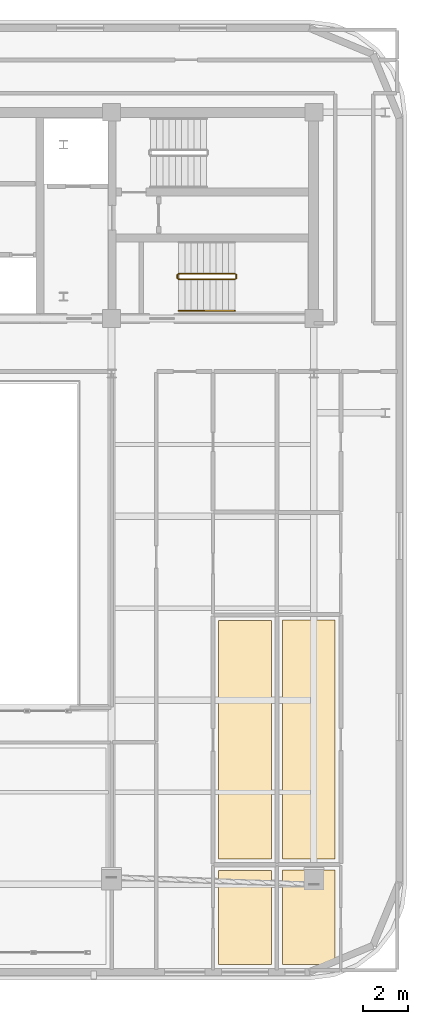
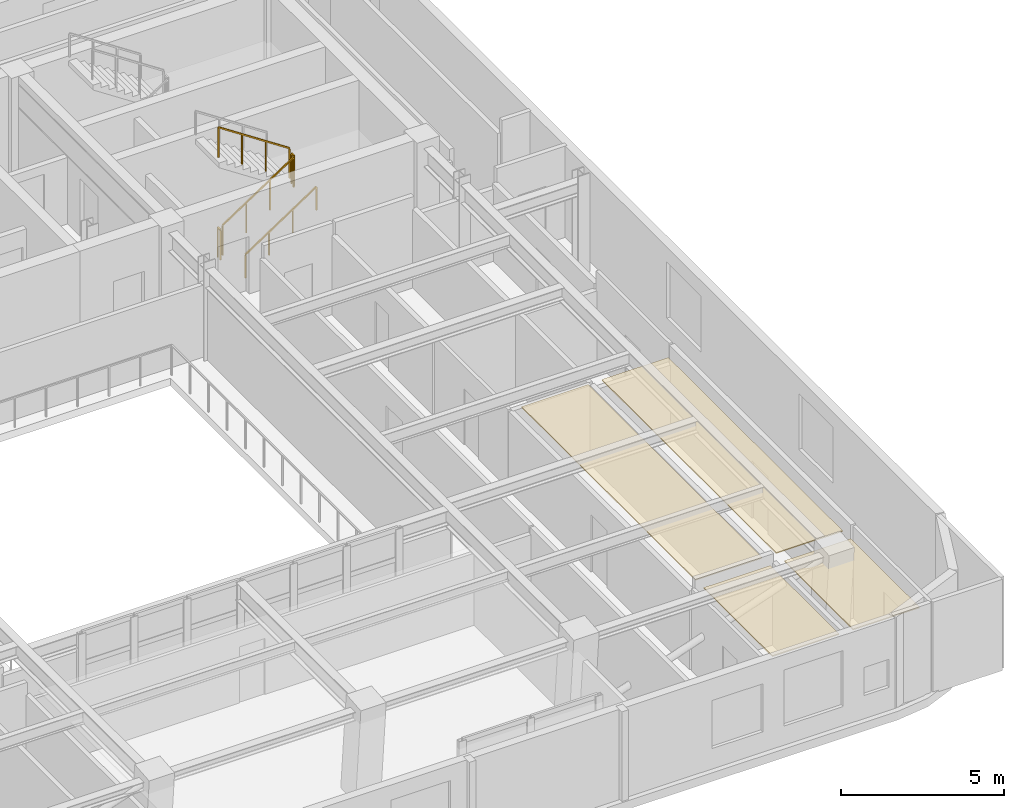
# One storey, part 13 of 14: 5 railings, 4 coverings.
"""IFC4 building model written with IfcOpenShell, lengths in metres."""

from ifc_helpers import new_model, si_unit, direction, frame, origin, origin_2d, place, context, subcontext, project, spatial, polyline, rectangle, outline, extrude, material, layer, layer_set, type_object, element, save


model = new_model("IFC4")

# Units and contexts
model_context = context("Model", 3, precision=1e-05, world=origin(), true_north=direction((0.0, 1.0)))
body_context = subcontext(model_context, "Body", "Model", "MODEL_VIEW")
ifc_project = project(units=[si_unit("LENGTHUNIT", "METRE"), si_unit("AREAUNIT", "SQUARE_METRE"), si_unit("VOLUMEUNIT", "CUBIC_METRE"), si_unit("PLANEANGLEUNIT", "RADIAN"), si_unit("MASSUNIT", "GRAM", prefix="KILO")], contexts=[model_context])

# Site, building, storey
site_placement = place(None, origin())
site = spatial("IfcSite", under=ifc_project, at=site_placement, CompositionType="ELEMENT")
building_placement = place(site_placement, origin())
building = spatial("IfcBuilding", under=site, at=building_placement, Name="Zarnavel Station Tower", CompositionType="ELEMENT")
storey_placement = place(building_placement, frame((0.0, 0.0, 258.39990234375)))
storey = spatial("IfcBuildingStorey", under=building, at=storey_placement, Name="L70", CompositionType="ELEMENT", Elevation=258.39990234375)

# Coverings
ifc_material_1 = material(Name="Perforated Gypsum and Mineral-Wool Acoustic Ceiling", Category="concrete")
ifc_layer = layer(ifc_material_1, 0.0400390625)
ifc_layer_set = layer_set([ifc_layer], Name="COV_CEIL_ACOUSTIC")
covering_type = type_object("IfcCoveringType", Name="COV_CEIL_ACOUSTIC", PredefinedType="CEILING", material=ifc_layer_set)
covering_1_placement = place(storey_placement, frame((0.0, 0.0, 3.10009765625)))
element("IfcCovering", 1, at=covering_1_placement, inside=storey, type_object=covering_type, Name="L70 UE1B1 Acoustic Ceiling", PredefinedType="CEILING", context=body_context, shape_type="SweptSolid", body=[
    extrude(outline(polyline([(41.137939453125, -1.090087890625), (43.5, -1.090087890625), (43.5, 3.126953125), (41.137939453125, 3.126953125), (41.137939453125, -1.090087890625)])), origin(), (0.0, 0.0, 1.0), 0.0400390625),
])
covering_2_placement = place(storey_placement, frame((0.0, 0.0, 3.10009765625)))
element("IfcCovering", 2, at=covering_2_placement, inside=storey, type_object=covering_type, Name="L70 UE1KT Acoustic Ceiling", PredefinedType="CEILING", context=body_context, shape_type="SweptSolid", body=[
    extrude(outline(polyline([(41.137939453125, 3.626953125), (43.5, 3.626953125), (43.5, 14.30810546875), (41.137939453125, 14.30810546875), (41.137939453125, 3.626953125)])), origin(), (0.0, 0.0, 1.0), 0.0400390625),
])
covering_3_placement = place(storey_placement, frame((0.0, 0.0, 3.10009765625)))
element("IfcCovering", 3, at=covering_3_placement, inside=storey, type_object=covering_type, Name="L70 UE2B1 Acoustic Ceiling", PredefinedType="CEILING", context=body_context, shape_type="SweptSolid", body=[
    extrude(outline(polyline([(44.0, -1.090087890625), (46.35693359375, -1.090087890625), (46.35693359375, 3.135009765625), (44.0, 3.135009765625), (44.0, -1.090087890625)])), origin(), (0.0, 0.0, 1.0), 0.0400390625),
])
covering_4_placement = place(storey_placement, frame((0.0, 0.0, 3.10009765625)))
element("IfcCovering", 4, at=covering_4_placement, inside=storey, type_object=covering_type, Name="L70 UE2KT Acoustic Ceiling", PredefinedType="CEILING", context=body_context, shape_type="SweptSolid", body=[
    extrude(outline(polyline([(44.0, 3.635009765625), (46.35693359375, 3.635009765625), (46.35693359375, 14.3359375), (44.0, 14.3359375), (44.0, 3.635009765625)])), origin(), (0.0, 0.0, 1.0), 0.0400390625),
])

# Railings
ifc_material_2 = material(Name="Painted Steel S355J2 Balustrade", Category="steel")
railing_type_1 = type_object("IfcRailingType", Name="GR_INT_1150", PredefinedType="GUARDRAIL", material=ifc_material_2)
railing_1_placement = place(storey_placement, frame((39.35009765625, 29.570068359375, 0.18505859375)))
element("IfcRailing", 5, at=railing_1_placement, inside=storey, type_object=railing_type_1, Name="L70 ST3 stair guard 1", PredefinedType="GUARDRAIL", context=body_context, shape_type="SweptSolid", body=[
    extrude(rectangle(XDim=0.048095703125, YDim=0.048095703125, at=origin_2d()), frame((0.001708984375, 0.0, 1.126953125), z_axis=(0.834331337432, 0.0, 0.55126329406), x_axis=(0.0, 1.0, 0.0)), (0.0, 0.0, 1.0), 3.016357421875),
    extrude(rectangle(XDim=0.0419921875, YDim=0.0419921875, at=origin_2d()), origin(), (0.0, 0.0, 1.0), 1.101806640625),
    extrude(rectangle(XDim=0.0419921875, YDim=0.0419921875, at=origin_2d()), frame((0.840087890625, 0.0, 0.554931640625)), (0.0, 0.0, 1.0), 1.101806640625),
    extrude(rectangle(XDim=0.0419921875, YDim=0.0419921875, at=origin_2d()), frame((1.679931640625, 0.0, 1.110107421875)), (0.0, 0.0, 1.0), 1.101806640625),
    extrude(rectangle(XDim=0.0419921875, YDim=0.0419921875, at=origin_2d()), frame((2.52001953125, 0.0, 1.6650390625)), (0.0, 0.0, 1.0), 1.101806640625),
])
railing_2_placement = place(storey_placement, frame((41.919921875, 29.6201171875, 1.85009765625)))
element("IfcRailing", 6, at=railing_2_placement, inside=storey, type_object=railing_type_1, Name="L70 ST3 stair guard 2", PredefinedType="GUARDRAIL", context=body_context, shape_type="SweptSolid", body=[
    extrude(rectangle(XDim=0.048095703125, YDim=0.048095703125, at=origin_2d()), frame((0.0, 0.001953125, 1.1259765625), z_axis=(0.0, 1.0, 0.0), x_axis=(-1.0, 0.0, 0.0)), (0.0, 0.0, 1.0), 0.156005859375),
    extrude(rectangle(XDim=0.0419921875, YDim=0.0419921875, at=origin_2d()), origin(), (0.0, 0.0, 1.0), 1.101806640625),
    extrude(rectangle(XDim=0.0419921875, YDim=0.0419921875, at=origin_2d()), frame((0.0, 0.159912109375, 0.0)), (0.0, 0.0, 1.0), 1.101806640625),
])
railing_3_placement = place(storey_placement, frame((41.8701171875, 29.830078125, 2.03515625)))
element("IfcRailing", 7, at=railing_3_placement, inside=storey, type_object=railing_type_1, Name="L70 ST3 stair guard 3", PredefinedType="GUARDRAIL", context=body_context, shape_type="SweptSolid", body=[
    extrude(rectangle(XDim=0.048095703125, YDim=0.048095703125, at=origin_2d()), frame((-0.001708984375, 0.0, 1.126953125), z_axis=(-0.834331337432, 0.0, 0.55126329406), x_axis=(0.0, -1.0, 0.0)), (0.0, 0.0, 1.0), 3.016357421875),
    extrude(rectangle(XDim=0.0419921875, YDim=0.0419921875, at=origin_2d()), origin(), (0.0, 0.0, 1.0), 1.101806640625),
    extrude(rectangle(XDim=0.0419921875, YDim=0.0419921875, at=origin_2d()), frame((-0.840087890625, 0.0, 0.554931640625)), (0.0, 0.0, 1.0), 1.101806640625),
    extrude(rectangle(XDim=0.0419921875, YDim=0.0419921875, at=origin_2d()), frame((-1.679931640625, 0.0, 1.110107421875)), (0.0, 0.0, 1.0), 1.101806640625),
    extrude(rectangle(XDim=0.0419921875, YDim=0.0419921875, at=origin_2d()), frame((-2.52001953125, 0.0, 1.6650390625)), (0.0, 0.0, 1.0), 1.101806640625),
])
railing_4_placement = place(storey_placement, frame((39.300048828125, 29.6201171875, 0.0)))
element("IfcRailing", 8, at=railing_4_placement, inside=storey, type_object=railing_type_1, Name="L70 ST3 stair guard 4", PredefinedType="GUARDRAIL", context=body_context, shape_type="SweptSolid", body=[
    extrude(rectangle(XDim=0.048095703125, YDim=0.048095703125, at=origin_2d()), frame((0.0, 0.001953125, 1.1259765625), z_axis=(0.0, 1.0, 0.0), x_axis=(-1.0, 0.0, 0.0)), (0.0, 0.0, 1.0), 0.156005859375),
    extrude(rectangle(XDim=0.0419921875, YDim=0.0419921875, at=origin_2d()), origin(), (0.0, 0.0, 1.0), 1.101806640625),
    extrude(rectangle(XDim=0.0419921875, YDim=0.0419921875, at=origin_2d()), frame((0.0, 0.159912109375, 0.0)), (0.0, 0.0, 1.0), 1.101806640625),
])
ifc_material_3 = material(Name="Brushed Stainless Steel S355J2 Handrail", Category="steel")
railing_type_2 = type_object("IfcRailingType", Name="HR_STAIR_900", PredefinedType="HANDRAIL", material=ifc_material_3)
railing_5_placement = place(storey_placement, frame((39.35009765625, 28.169921875, 0.18505859375)))
element("IfcRailing", 9, at=railing_5_placement, inside=storey, type_object=railing_type_2, Name="L70 ST3 stair handrail 1", PredefinedType="HANDRAIL", context=body_context, shape_type="SweptSolid", body=[
    extrude(rectangle(XDim=0.048095703125, YDim=0.048095703125, at=origin_2d()), frame((0.001708984375, 0.0, 0.876953125), z_axis=(0.834331337432, 0.0, 0.55126329406), x_axis=(0.0, 1.0, 0.0)), (0.0, 0.0, 1.0), 3.016357421875),
    extrude(rectangle(XDim=0.0419921875, YDim=0.0419921875, at=origin_2d()), origin(), (0.0, 0.0, 1.0), 0.851806640625),
    extrude(rectangle(XDim=0.0419921875, YDim=0.0419921875, at=origin_2d()), frame((0.840087890625, 0.0, 0.554931640625)), (0.0, 0.0, 1.0), 0.851806640625),
    extrude(rectangle(XDim=0.0419921875, YDim=0.0419921875, at=origin_2d()), frame((1.679931640625, 0.0, 1.110107421875)), (0.0, 0.0, 1.0), 0.851806640625),
    extrude(rectangle(XDim=0.0419921875, YDim=0.0419921875, at=origin_2d()), frame((2.52001953125, 0.0, 1.6650390625)), (0.0, 0.0, 1.0), 0.851806640625),
])

save(model, "model.ifc")
